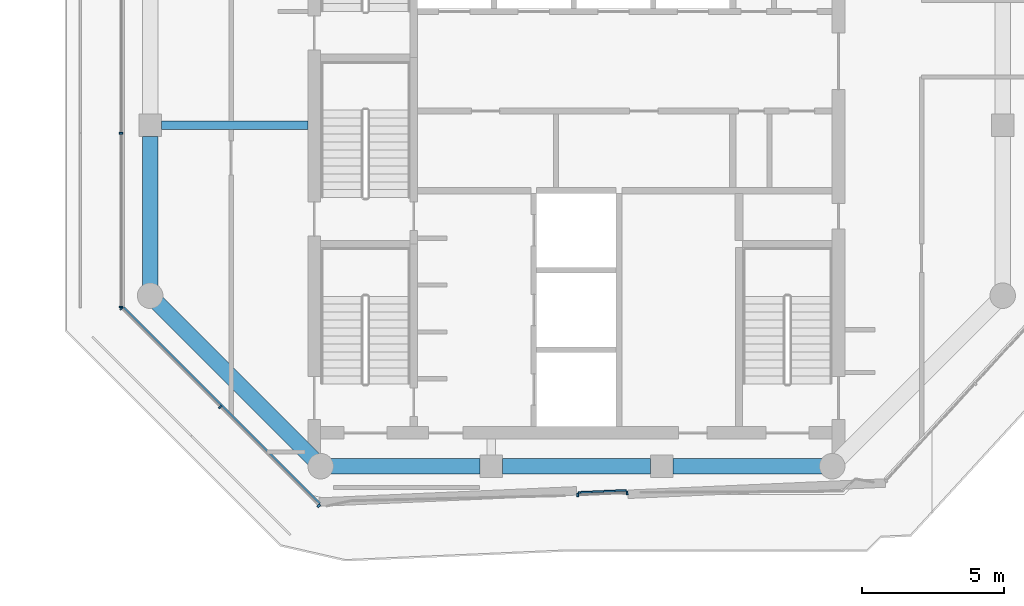
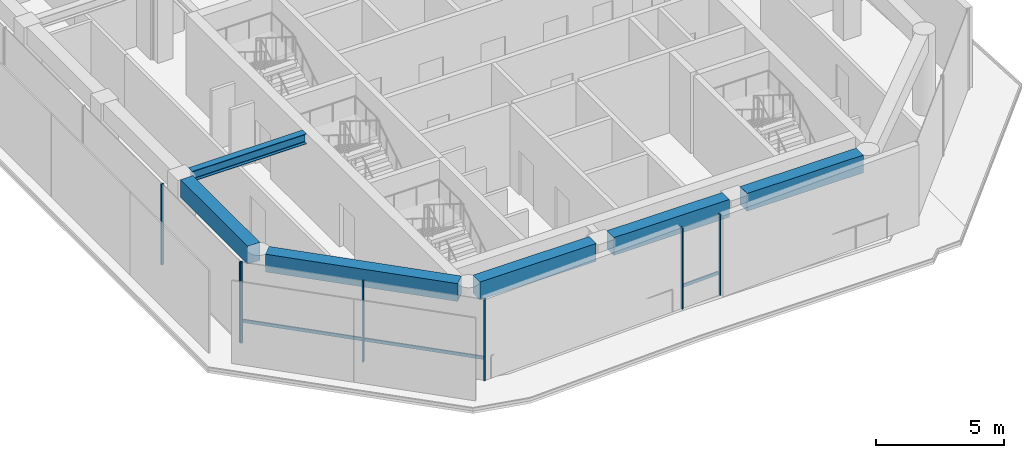
# One storey, part 2 of 21: 9 members, 6 beams, 3 elements without a shape of their own.
"""IFC4 building model written with IfcOpenShell, lengths in metres."""

from ifc_helpers import new_model, si_unit, direction, frame, origin, origin_2d, place, context, subcontext, project, spatial, rectangle, i_section, extrude, material, layer, layer_set, material_profile, profile_set, type_object, element, aggregate, save


model = new_model("IFC4")

# Units and contexts
model_context = context("Model", 3, precision=1e-05, world=origin(), true_north=direction((0.0, 1.0)))
body_context = subcontext(model_context, "Body", "Model", "MODEL_VIEW")
ifc_project = project(units=[si_unit("LENGTHUNIT", "METRE"), si_unit("AREAUNIT", "SQUARE_METRE"), si_unit("VOLUMEUNIT", "CUBIC_METRE"), si_unit("PLANEANGLEUNIT", "RADIAN"), si_unit("MASSUNIT", "GRAM", prefix="KILO")], contexts=[model_context])

# Site, building, storey
site_placement = place(None, origin())
site = spatial("IfcSite", under=ifc_project, at=site_placement, CompositionType="ELEMENT")
building_placement = place(site_placement, origin())
building = spatial("IfcBuilding", under=site, at=building_placement, Name="Welwitschia Terrace Campus", CompositionType="ELEMENT")
storey_placement = place(building_placement, frame((0.0, 0.0, 218.0)))
storey = spatial("IfcBuildingStorey", under=building, at=storey_placement, Name="L48", CompositionType="ELEMENT", Elevation=218.0)

# Curtain wall, members
ifc_material_1 = material(Name="Bronze anodised aluminium", Category="aluminium")
ifc_layer = layer(ifc_material_1, 0.1201171875)
ifc_layer_set = layer_set([ifc_layer], Name="Bronze anodised aluminium")
curtain_wall_type = type_object("IfcCurtainWallType", Name="Curtain wall CW2 tower 6000", PredefinedType="NOTDEFINED", material=ifc_layer_set)
curtain_wall_1_placement = place(storey_placement, origin())
curtain_wall_1 = element("IfcCurtainWall", 1, at=curtain_wall_1_placement, inside=storey, type_object=curtain_wall_type, Name="CW L48.0.0", PredefinedType="NOTDEFINED")
ifc_material_2 = material(Name="Bronze anodised aluminium", Category="aluminium")
ifc_material_profile_1 = material_profile(ifc_material_2, rectangle(XDim=0.1201171875, YDim=0.06005859375, at=origin_2d()))
ifc_profile_set_1 = profile_set([ifc_material_profile_1], Name="Bronze anodised aluminium")
member_type_1 = type_object("IfcMemberType", Name="Mullion 60x120", PredefinedType="MULLION", material=ifc_profile_set_1)
member_1_placement = place(storey_placement, frame((-1.0087890625, 9.55224609375, 0.0), z_axis=(0.0, 0.0, 1.0), x_axis=(0.707106781187, 0.707106781187, 0.0)))
member_1 = element("IfcMember", 2, at=member_1_placement, type_object=member_type_1, Name="Mullion L48.0.0.0", PredefinedType="MULLION", context=body_context, shape_type="SweptSolid", body=[
    extrude(rectangle(XDim=0.1201171875, YDim=0.06005859375, at=origin_2d()), origin(), (0.0, 0.0, 1.0), 3.85009765625),
])
member_2_placement = place(storey_placement, frame((2.462646484375, 6.080810546875, 0.0), z_axis=(0.0, 0.0, 1.0), x_axis=(0.707106781187, 0.707106781187, 0.0)))
member_2 = element("IfcMember", 3, at=member_2_placement, type_object=member_type_1, Name="Mullion L48.0.0.1", PredefinedType="MULLION", context=body_context, shape_type="SweptSolid", body=[
    extrude(rectangle(XDim=0.1201171875, YDim=0.06005859375, at=origin_2d()), origin(), (0.0, 0.0, 1.0), 3.85009765625),
])
member_3_placement = place(storey_placement, frame((5.93408203125, 2.609375, 0.0), z_axis=(0.0, 0.0, 1.0), x_axis=(0.707106781187, 0.707106781187, 0.0)))
member_3 = element("IfcMember", 4, at=member_3_placement, type_object=member_type_1, Name="Mullion L48.0.0.2", PredefinedType="MULLION", context=body_context, shape_type="SweptSolid", body=[
    extrude(rectangle(XDim=0.1201171875, YDim=0.06005859375, at=origin_2d()), origin(), (0.0, 0.0, 1.0), 3.85009765625),
])

curtain_wall_2_placement = place(storey_placement, origin())
curtain_wall_2 = element("IfcCurtainWall", 5, at=curtain_wall_2_placement, inside=storey, type_object=curtain_wall_type, Name="CW L48.1.S0", PredefinedType="NOTDEFINED")
member_4_placement = place(storey_placement, frame((15.045654296875, 2.985107421875, 0.0), z_axis=(0.0, 0.0, 1.0), x_axis=(-0.043619387365, 0.999048221582, 0.0)))
member_4 = element("IfcMember", 6, at=member_4_placement, type_object=member_type_1, Name="Mullion L48.1.S0.0", PredefinedType="MULLION", context=body_context, shape_type="SweptSolid", body=[
    extrude(rectangle(XDim=0.1201171875, YDim=0.06005859375, at=origin_2d()), origin(), (0.0, 0.0, 1.0), 3.85009765625),
])
member_5_placement = place(storey_placement, frame((16.783935546875, 3.060791015625, 0.0), z_axis=(0.0, 0.0, 1.0), x_axis=(-0.043619387365, 0.999048221582, 0.0)))
member_5 = element("IfcMember", 7, at=member_5_placement, type_object=member_type_1, Name="Mullion L48.1.S0.1", PredefinedType="MULLION", context=body_context, shape_type="SweptSolid", body=[
    extrude(rectangle(XDim=0.1201171875, YDim=0.06005859375, at=origin_2d()), origin(), (0.0, 0.0, 1.0), 3.85009765625),
])

curtain_wall_3_placement = place(storey_placement, origin())
curtain_wall_3 = element("IfcCurtainWall", 8, at=curtain_wall_3_placement, inside=storey, type_object=curtain_wall_type, Name="CW L48.9.0", PredefinedType="NOTDEFINED")
member_6_placement = place(storey_placement, frame((-1.030029296875, 15.718994140625, 0.0), z_axis=(0.0, 0.0, 1.0), x_axis=(1.0, 0.0, 0.0)))
member_6 = element("IfcMember", 9, at=member_6_placement, type_object=member_type_1, Name="Mullion L48.9.0.9", PredefinedType="MULLION", context=body_context, shape_type="SweptSolid", body=[
    extrude(rectangle(XDim=0.1201171875, YDim=0.06005859375, at=origin_2d()), origin(), (0.0, 0.0, 1.0), 3.85009765625),
])
member_7_placement = place(storey_placement, frame((-1.030029296875, 9.603271484375, 0.0), z_axis=(0.0, 0.0, 1.0), x_axis=(1.0, 0.0, 0.0)))
member_7 = element("IfcMember", 10, at=member_7_placement, type_object=member_type_1, Name="Mullion L48.9.0.10", PredefinedType="MULLION", context=body_context, shape_type="SweptSolid", body=[
    extrude(rectangle(XDim=0.1201171875, YDim=0.06005859375, at=origin_2d()), origin(), (0.0, 0.0, 1.0), 3.85009765625),
])
aggregate(curtain_wall_3, [member_6, member_7])

# Beams
ifc_material_3 = material(Name="Steel S355", Category="steel")
ifc_material_profile_2 = material_profile(ifc_material_3, i_section(OverallWidth=0.300048828125, OverallDepth=0.489990234375, WebThickness=0.011962890625, FlangeThickness=0.02294921875, FilletRadius=0.027099609375, at=origin_2d()))
ifc_profile_set_2 = profile_set([ifc_material_profile_2], Name="Steel S355")
beam_type_1 = type_object("IfcBeamType", Name="Primary beam HE 500 A", PredefinedType="BEAM", material=ifc_profile_set_2)
beam_1_placement = place(storey_placement, frame((0.400390625, 16.0, 3.60498046875), z_axis=(1.0, 0.0, 0.0), x_axis=(0.0, 1.0, 0.0)))
element("IfcBeam", 11, at=beam_1_placement, inside=storey, type_object=beam_type_1, Name="Primary beam PB5", PredefinedType="BEAM", context=body_context, shape_type="SweptSolid", body=[
    extrude(i_section(OverallWidth=0.300048828125, OverallDepth=0.489990234375, WebThickness=0.011962890625, FlangeThickness=0.02294921875, FilletRadius=0.027099609375, at=origin_2d()), origin(), (0.0, 0.0, 1.0), 5.149658203125),
])
ifc_material_4 = material(Name="Concrete C50/60", Category="concrete")
ifc_material_profile_3 = material_profile(ifc_material_4, rectangle(XDim=0.550048828125, YDim=0.85009765625, at=origin_2d()))
ifc_profile_set_3 = profile_set([ifc_material_profile_3], Name="Concrete C50/60")
beam_type_2 = type_object("IfcBeamType", Name="Ring spandrel 550x850", PredefinedType="SPANDREL", material=ifc_profile_set_3)
beam_2_placement = place(storey_placement, frame((0.25244140625, 9.74755859375, 3.425048828125), z_axis=(0.707106781187, -0.707106781187, 0.0), x_axis=(0.707106781187, 0.707106781187, 0.0)))
element("IfcBeam", 12, at=beam_2_placement, inside=storey, type_object=beam_type_2, Name="Spandrel SP3", PredefinedType="SPANDREL", context=body_context, shape_type="SweptSolid", body=[
    extrude(rectangle(XDim=0.550048828125, YDim=0.85009765625, at=origin_2d()), origin(), (0.0, 0.0, 1.0), 7.771240234375),
])
beam_3_placement = place(storey_placement, frame((6.35693359375, 4.0, 3.425048828125), z_axis=(1.0, 0.0, 0.0), x_axis=(0.0, 1.0, 0.0)))
element("IfcBeam", 13, at=beam_3_placement, inside=storey, type_object=beam_type_2, Name="Spandrel SP3", PredefinedType="SPANDREL", context=body_context, shape_type="SweptSolid", body=[
    extrude(rectangle(XDim=0.550048828125, YDim=0.85009765625, at=origin_2d()), origin(), (0.0, 0.0, 1.0), 5.24267578125),
])
beam_4_placement = place(storey_placement, frame((12.400390625, 4.0, 3.425048828125), z_axis=(1.0, 0.0, 0.0), x_axis=(0.0, 1.0, 0.0)))
element("IfcBeam", 14, at=beam_4_placement, inside=storey, type_object=beam_type_2, Name="Spandrel SP3", PredefinedType="SPANDREL", context=body_context, shape_type="SweptSolid", body=[
    extrude(rectangle(XDim=0.550048828125, YDim=0.85009765625, at=origin_2d()), origin(), (0.0, 0.0, 1.0), 5.19921875),
])
for number, where, z_axis, x_axis, name in (
    (15, (18.400390625, 4.0, 3.425048828125), (1.0, 0.0, 0.0), (0.0, 1.0, 0.0), "Spandrel SP3"),
    (16, (0.0, 15.599609375, 3.425048828125), (0.0, -1.0, 0.0), (1.0, 0.0, 0.0), "Spandrel SP3"),
):
    element("IfcBeam", number, at=place(storey_placement, frame(where, z_axis=z_axis, x_axis=x_axis)), inside=storey, type_object=beam_type_2, Name=name, PredefinedType="SPANDREL", context=body_context, shape_type="SweptSolid", body=[
        extrude(rectangle(XDim=0.550048828125, YDim=0.85009765625, at=origin_2d()), origin(), (0.0, 0.0, 1.0), 5.24267578125),
    ])

# Member
ifc_material_5 = material(Name="Bronze anodised aluminium", Category="aluminium")
ifc_material_profile_4 = material_profile(ifc_material_5, rectangle(XDim=0.06005859375, YDim=0.14990234375, at=origin_2d()))
ifc_profile_set_4 = profile_set([ifc_material_profile_4], Name="Bronze anodised aluminium")
member_type_2 = type_object("IfcMemberType", Name="Transom 60x150", PredefinedType="USERDEFINED", material=ifc_profile_set_4)
member_8_placement = place(storey_placement, frame((-0.923828125, 9.594482421875, 1.0), z_axis=(0.707106781187, -0.707106781187, 0.0), x_axis=(0.707106781187, 0.707106781187, 0.0)))
member_8 = element("IfcMember", 17, at=member_8_placement, type_object=member_type_2, Name="Transom L48.0.0", ObjectType="TRANSOM", PredefinedType="USERDEFINED", context=body_context, shape_type="SweptSolid", body=[
    extrude(rectangle(XDim=0.06005859375, YDim=0.14990234375, at=origin_2d()), origin(), (0.0, 0.0, 1.0), 9.758544921875),
])

aggregate(curtain_wall_1, [member_1, member_2, member_3, member_8])

member_9_placement = place(storey_placement, frame((15.07177734375, 3.076171875, 1.0), z_axis=(0.99904901514, 0.043601208109, 0.0), x_axis=(-0.043601208109, 0.99904901514, 0.0)))
member_9 = element("IfcMember", 18, at=member_9_placement, type_object=member_type_2, Name="Transom L48.1.S0", ObjectType="TRANSOM", PredefinedType="USERDEFINED", context=body_context, shape_type="SweptSolid", body=[
    extrude(rectangle(XDim=0.06005859375, YDim=0.14990234375, at=origin_2d()), origin(), (0.0, 0.0, 1.0), 1.679931640625),
])

aggregate(curtain_wall_2, [member_4, member_5, member_9])

save(model, "model.ifc")
